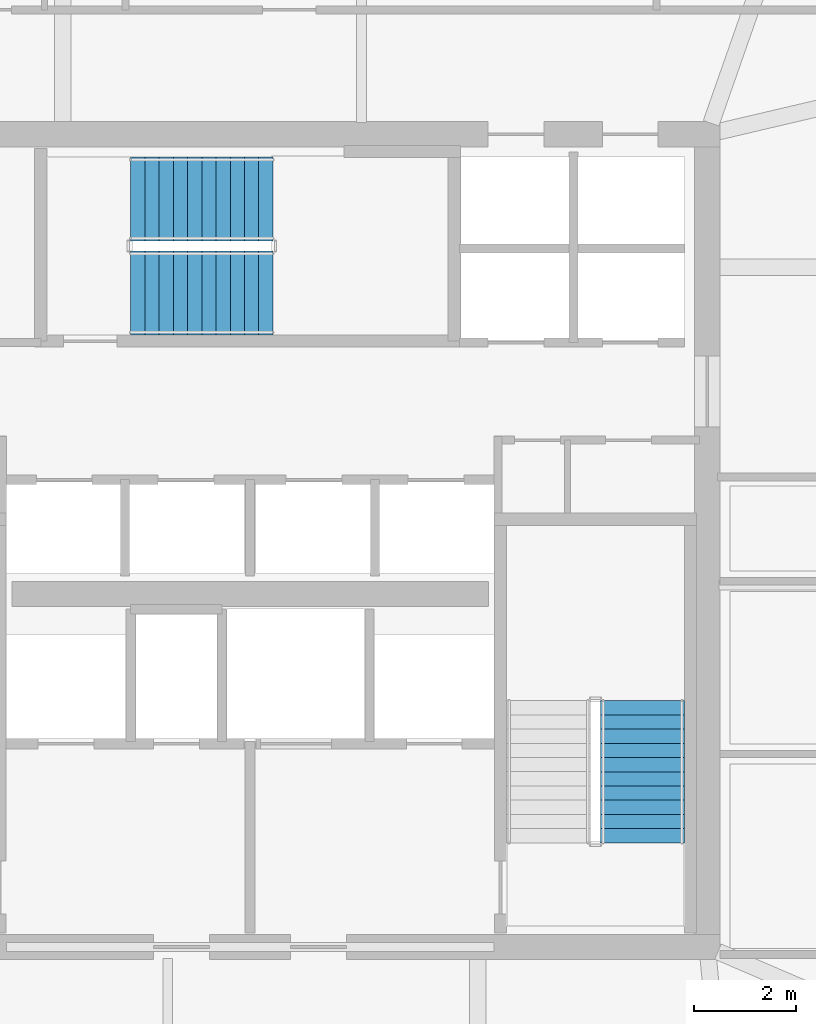
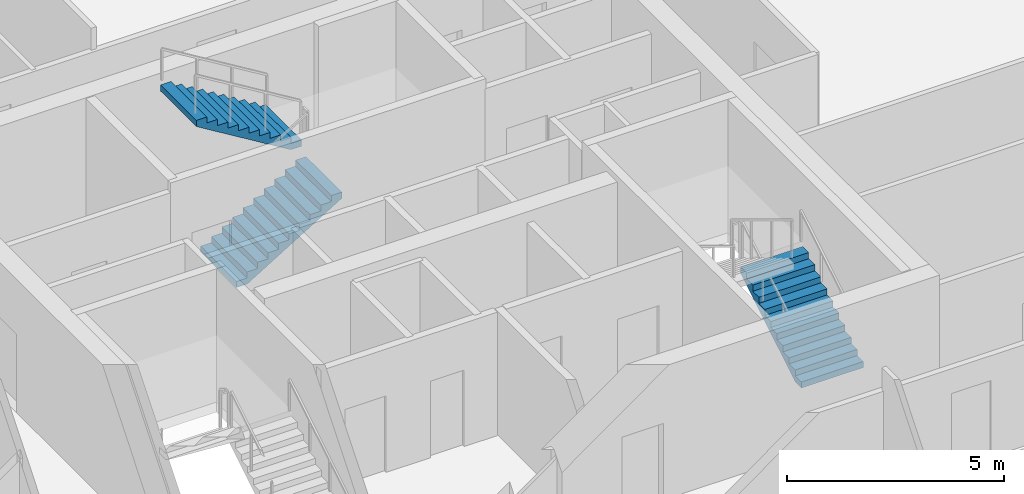
# One storey, part 23 of 28: 3 stair flights, 2 elements without a shape of their own.
"""IFC4 building model written with IfcOpenShell, lengths in metres."""

import ifcopenshell
import ifcopenshell.guid

model = None  # the IFC model being written
_history = None  # IfcOwnerHistory: only IFC2X3 demands one
_inside = {}  # id of a spatial element -> (the spatial element, [elements in it])
_under = {}  # id of a project, library or spatial element -> (it, [spatial elements below it])
_declared = {}  # id of a project -> (the project, [libraries it declares])
_typed = {}  # id of a type object -> (the type object, [elements of that type])
_made_of = {}  # id of a material, layer set ... -> (it, [elements and type objects made of it])


def new_model(schema):
    """Start an empty IFC model of exactly this schema.

    Asked for "IFC4X3", IfcOpenShell would pick the latest addendum, in which some entities
    have other attributes; the version numbers below select the first issue.
    IFC2X3 requires an IfcOwnerHistory on every rooted entity: one is made here for all.
    """
    global model, _history
    if schema == "IFC4X3":
        model = ifcopenshell.file(schema_version=(4, 3, 0, 0))
    else:
        model = ifcopenshell.file(schema=schema)
    _inside.clear()
    _under.clear()
    _declared.clear()
    _typed.clear()
    _made_of.clear()
    _history = None
    if model.schema == "IFC2X3":
        org = make("IfcOrganization", Name="unknown")
        user = make(
            "IfcPersonAndOrganization",
            ThePerson=make("IfcPerson", FamilyName="unknown"),
            TheOrganization=org,
        )
        app = make(
            "IfcApplication",
            ApplicationDeveloper=org,
            Version="unknown",
            ApplicationFullName="unknown",
            ApplicationIdentifier="unknown",
        )
        _history = make(
            "IfcOwnerHistory",
            OwningUser=user,
            OwningApplication=app,
            ChangeAction="ADDED",
            CreationDate=0,
        )
    return model


def make(cls, **values):
    """One entity of the class cls with the attributes given. An attribute that is None is left unset."""
    return model.create_entity(
        cls, **{name: value for name, value in values.items() if value is not None}
    )


def rooted(cls, **values):
    """An entity with a GlobalId (a new one), such as an element, a storey or a relation."""
    return make(cls, GlobalId=ifcopenshell.guid.new(), OwnerHistory=_history, **values)


def si_unit(unit_type, name, prefix=None):
    """IfcSIUnit, for example si_unit("LENGTHUNIT", "METRE", prefix="MILLI")."""
    return make("IfcSIUnit", UnitType=unit_type, Prefix=prefix, Name=name)


def assignment(units):
    """IfcUnitAssignment: the units of a project."""
    return None if units is None else make("IfcUnitAssignment", Units=units)


def point(xyz):
    """IfcCartesianPoint."""
    return None if xyz is None else make("IfcCartesianPoint", Coordinates=xyz)


def direction(xyz):
    """IfcDirection."""
    return None if xyz is None else make("IfcDirection", DirectionRatios=xyz)


def frame(location, z_axis=None, x_axis=None):
    """IfcAxis2Placement3D, a coordinate frame: its origin and axes. An axis left out is left unset."""
    return make(
        "IfcAxis2Placement3D",
        Location=point(location),
        Axis=direction(z_axis),
        RefDirection=direction(x_axis),
    )


def origin():
    """The frame at (0, 0, 0) with its axes left unset."""
    return frame((0.0, 0.0, 0.0))


def place(relative_to, where):
    """IfcLocalPlacement: puts the frame where relative to a parent placement (None: the world)."""
    return make(
        "IfcLocalPlacement", PlacementRelTo=relative_to, RelativePlacement=where
    )


def context(
    kind, dimensions, precision=None, world=None, true_north=None, identifier=None
):
    """IfcGeometricRepresentationContext, for example the 3D "Model" context."""
    return make(
        "IfcGeometricRepresentationContext",
        ContextIdentifier=identifier,
        ContextType=kind,
        CoordinateSpaceDimension=dimensions,
        Precision=precision,
        WorldCoordinateSystem=world,
        TrueNorth=true_north,
    )


def subcontext(parent, identifier, kind, view, scale=None):
    """IfcGeometricRepresentationSubContext, for example "Body" below "Model"."""
    return make(
        "IfcGeometricRepresentationSubContext",
        ContextIdentifier=identifier,
        ContextType=kind,
        ParentContext=parent,
        TargetScale=scale,
        TargetView=view,
    )


def project(units=None, contexts=None):
    """IfcProject with its units and contexts."""
    return rooted(
        "IfcProject",
        Name="project",
        RepresentationContexts=contexts,
        UnitsInContext=assignment(units),
    )


def spatial(cls, under=None, at=None, **own):
    """A site, building, storey or space (cls), placed at a placement, below another one or the project."""
    s = rooted(cls, ObjectPlacement=at, **own)
    if under is not None:
        _under.setdefault(under.id(), (under, []))[1].append(s)
    return s


def polyline(points):
    """IfcPolyline through the points."""
    return make("IfcPolyline", Points=[point(p) for p in points])


def outline(outer, holes=None, kind="AREA"):
    """IfcArbitraryClosedProfileDef: a profile drawn as a closed curve; with holes, ...WithVoids."""
    if holes is None:
        return make("IfcArbitraryClosedProfileDef", ProfileType=kind, OuterCurve=outer)
    return make(
        "IfcArbitraryProfileDefWithVoids",
        ProfileType=kind,
        OuterCurve=outer,
        InnerCurves=holes,
    )


def extrude(swept, where, along, depth):
    """IfcExtrudedAreaSolid: the profile swept, set in the frame where, extruded along a direction by depth."""
    return make(
        "IfcExtrudedAreaSolid",
        SweptArea=swept,
        Position=where,
        ExtrudedDirection=direction(along),
        Depth=depth,
    )


def shape(context_of_items, identifier, shape_type, items):
    """IfcShapeRepresentation: the items that make up one representation, for example the "Body"."""
    return make(
        "IfcShapeRepresentation",
        ContextOfItems=context_of_items,
        RepresentationIdentifier=identifier,
        RepresentationType=shape_type,
        Items=items,
    )


def material(Name=None, Category=None):
    """IfcMaterial."""
    return make("IfcMaterial", Name=Name, Category=Category)


def made_of(thing, what):
    """Note that an element or type object is made of a material, layer set ...; save() writes the relation."""
    if what is not None:
        _made_of.setdefault(what.id(), (what, []))[1].append(thing)
    return thing


def type_object(cls, material=None, **own):
    """A type object (cls), such as IfcWallType, which elements share."""
    return made_of(rooted(cls, **own), material)


def element(
    cls,
    number,
    at=None,
    inside=None,
    cuts=None,
    type_object=None,
    material=None,
    context=None,
    identifier="Body",
    shape_type=None,
    held_by="IfcProductDefinitionShape",
    body=None,
    shapes=None,
    **own,
):
    """One element of the class cls, such as IfcWall. Its Tag is "e" and its number.

    at: its placement. inside: the storey or other place that contains it. cuts: it is an
    opening in that element (IfcRelVoidsElement). A single representation is given by context,
    identifier, shape_type and body (its items); several are given by shapes. held_by: the class
    of the entity that holds the representations. save() writes the other relations.
    """
    e = rooted(cls, Tag="e%d" % number, ObjectPlacement=at, **own)
    if body is not None:
        shapes = [shape(context, identifier, shape_type, body)]
    if shapes is not None:
        e.Representation = make(held_by, Representations=shapes)
    if inside is not None:
        _inside.setdefault(inside.id(), (inside, []))[1].append(e)
    if cuts is not None:
        rooted(
            "IfcRelVoidsElement", RelatingBuildingElement=cuts, RelatedOpeningElement=e
        )
    if type_object is not None:
        _typed.setdefault(type_object.id(), (type_object, []))[1].append(e)
    return made_of(e, material)


def aggregate(whole, parts):
    """IfcRelAggregates: a whole, such as a stair, and the parts it consists of."""
    return rooted("IfcRelAggregates", RelatingObject=whole, RelatedObjects=parts)


def save(model, path):
    """Write the relations noted so far, then the file.

    IfcRelAggregates (storeys below a building ...), IfcRelContainedInSpatialStructure (elements
    in a storey), IfcRelDefinesByType, IfcRelAssociatesMaterial and IfcRelDeclares: one each for
    every whole, place, type object, material and project.
    """
    for whole, parts in _under.values():
        aggregate(whole, parts)
    for where, things in _inside.values():
        rooted(
            "IfcRelContainedInSpatialStructure",
            RelatedElements=things,
            RelatingStructure=where,
        )
    for kind, things in _typed.values():
        rooted("IfcRelDefinesByType", RelatedObjects=things, RelatingType=kind)
    for what, things in _made_of.values():
        rooted("IfcRelAssociatesMaterial", RelatedObjects=things, RelatingMaterial=what)
    for by, libraries in _declared.values():
        rooted("IfcRelDeclares", RelatingContext=by, RelatedDefinitions=libraries)
    model.write(path)


model = new_model("IFC4")

# Units and contexts
model_context = context("Model", 3, precision=1e-05, world=origin(), true_north=direction((0.0, 1.0)))
body_context = subcontext(model_context, "Body", "Model", "MODEL_VIEW")
ifc_project = project(units=[si_unit("LENGTHUNIT", "METRE"), si_unit("AREAUNIT", "SQUARE_METRE"), si_unit("VOLUMEUNIT", "CUBIC_METRE"), si_unit("PLANEANGLEUNIT", "RADIAN"), si_unit("MASSUNIT", "GRAM", prefix="KILO")], contexts=[model_context])

# Site, building, storey
site_placement = place(None, origin())
site = spatial("IfcSite", under=ifc_project, at=site_placement, CompositionType="ELEMENT")
building_placement = place(site_placement, origin())
building = spatial("IfcBuilding", under=site, at=building_placement, Name="Haldenkirk Collegiate Tower", CompositionType="ELEMENT")
storey_placement = place(building_placement, frame((0.0, 0.0, 198.449951171875)))
storey = spatial("IfcBuildingStorey", under=building, at=storey_placement, Name="L49", CompositionType="ELEMENT", Elevation=198.449951171875)

# Stair, stair flight
ifc_material = material(Name="Concrete f'c 40 MPa", Category="concrete")
stair_type = type_object("IfcStairType", Name="STR-DOGLEG-1650", PredefinedType="HALF_TURN_STAIR", material=ifc_material)
stair_1_placement = place(storey_placement, origin())
stair_1 = element("IfcStair", 1, at=stair_1_placement, inside=storey, type_object=stair_type, Name="L49 Core Exit Stair ST-2", PredefinedType="HALF_TURN_STAIR")
stair_flight_type = type_object("IfcStairFlightType", Name="STF-FLIGHT-1650", PredefinedType="STRAIGHT", material=ifc_material)
stair_flight_1_placement = place(storey_placement, frame((43.72509765625, 20.050048828125, 0.0), z_axis=(0.0, 0.0, 1.0), x_axis=(0.0, 1.0, 0.0)))
stair_flight_1 = element("IfcStairFlight", 2, at=stair_flight_1_placement, type_object=stair_flight_type, Name="ST-2 flight 1", NumberOfRisers=11, NumberOfTreads=10, PredefinedType="STRAIGHT", RiserHeight=0.170454545, TreadLength=0.28, context=body_context, shape_type="SweptSolid", body=[
    extrude(outline(polyline([(0.0, 0.0), (0.0, 0.17041015625), (0.280029296875, 0.17041015625), (0.280029296875, 0.3408203125), (0.56005859375, 0.3408203125), (0.56005859375, 0.511474609375), (0.840087890625, 0.511474609375), (0.840087890625, 0.681884765625), (1.1201171875, 0.681884765625), (1.1201171875, 0.852294921875), (1.39990234375, 0.852294921875), (1.39990234375, 1.022705078125), (1.679931640625, 1.022705078125), (1.679931640625, 1.193115234375), (1.9599609375, 1.193115234375), (1.9599609375, 1.363525390625), (2.239990234375, 1.363525390625), (2.239990234375, 1.5341796875), (2.52001953125, 1.5341796875), (2.52001953125, 1.70458984375), (2.800048828125, 1.70458984375), (2.800048828125, 1.875), (2.800048828125, 1.529052734375), (0.288330078125, 0.0), (0.0, 0.0)])), frame((0.0, 0.824951171875, 0.0), z_axis=(0.0, -1.0, 0.0), x_axis=(1.0, 0.0, 0.0)), (0.0, 0.0, 1.0), 1.64990234375),
])
aggregate(stair_1, [stair_flight_1])

# Stair, stair flights
stair_2_placement = place(storey_placement, origin())
stair_2 = element("IfcStair", 3, at=stair_2_placement, inside=storey, type_object=stair_type, Name="L49 Core Exit Stair ST-3", PredefinedType="HALF_TURN_STAIR")
stair_flight_2_placement = place(storey_placement, frame((33.64990234375, 30.875, 0.0), z_axis=(0.0, 0.0, 1.0), x_axis=(1.0, 0.0, 0.0)))
stair_flight_2 = element("IfcStairFlight", 4, at=stair_flight_2_placement, type_object=stair_flight_type, Name="ST-3 flight 1", NumberOfRisers=11, NumberOfTreads=10, PredefinedType="STRAIGHT", RiserHeight=0.170454545, TreadLength=0.28, context=body_context, shape_type="SweptSolid", body=[
    extrude(outline(polyline([(0.0, 0.0), (0.0, 0.17041015625), (0.280029296875, 0.17041015625), (0.280029296875, 0.3408203125), (0.56005859375, 0.3408203125), (0.56005859375, 0.511474609375), (0.840087890625, 0.511474609375), (0.840087890625, 0.681884765625), (1.1201171875, 0.681884765625), (1.1201171875, 0.852294921875), (1.39990234375, 0.852294921875), (1.39990234375, 1.022705078125), (1.679931640625, 1.022705078125), (1.679931640625, 1.193115234375), (1.9599609375, 1.193115234375), (1.9599609375, 1.363525390625), (2.239990234375, 1.363525390625), (2.239990234375, 1.5341796875), (2.52001953125, 1.5341796875), (2.52001953125, 1.70458984375), (2.800048828125, 1.70458984375), (2.800048828125, 1.875), (2.800048828125, 1.529052734375), (0.288330078125, 0.0), (0.0, 0.0)])), frame((0.0, 0.824951171875, 0.0), z_axis=(0.0, -1.0, 0.0), x_axis=(1.0, 0.0, 0.0)), (0.0, 0.0, 1.0), 1.64990234375),
])
stair_flight_3_placement = place(storey_placement, frame((36.449951171875, 32.72509765625, 1.875), z_axis=(0.0, 0.0, 1.0), x_axis=(-1.0, 0.0, 0.0)))
stair_flight_3 = element("IfcStairFlight", 5, at=stair_flight_3_placement, type_object=stair_flight_type, Name="ST-3 flight 2", NumberOfRisers=11, NumberOfTreads=10, PredefinedType="STRAIGHT", RiserHeight=0.170454545, TreadLength=0.28, context=body_context, shape_type="SweptSolid", body=[
    extrude(outline(polyline([(0.0, 0.0), (0.0, 0.17041015625), (0.280029296875, 0.17041015625), (0.280029296875, 0.3408203125), (0.56005859375, 0.3408203125), (0.56005859375, 0.511474609375), (0.840087890625, 0.511474609375), (0.840087890625, 0.681884765625), (1.1201171875, 0.681884765625), (1.1201171875, 0.852294921875), (1.39990234375, 0.852294921875), (1.39990234375, 1.022705078125), (1.679931640625, 1.022705078125), (1.679931640625, 1.193115234375), (1.9599609375, 1.193115234375), (1.9599609375, 1.363525390625), (2.239990234375, 1.363525390625), (2.239990234375, 1.5341796875), (2.52001953125, 1.5341796875), (2.52001953125, 1.70458984375), (2.800048828125, 1.70458984375), (2.800048828125, 1.875), (2.800048828125, 1.529052734375), (0.288330078125, 0.0), (0.0, 0.0)])), frame((0.0, 0.824951171875, 0.0), z_axis=(0.0, -1.0, 0.0), x_axis=(1.0, 0.0, 0.0)), (0.0, 0.0, 1.0), 1.64990234375),
])
aggregate(stair_2, [stair_flight_2, stair_flight_3])

save(model, "model.ifc")
